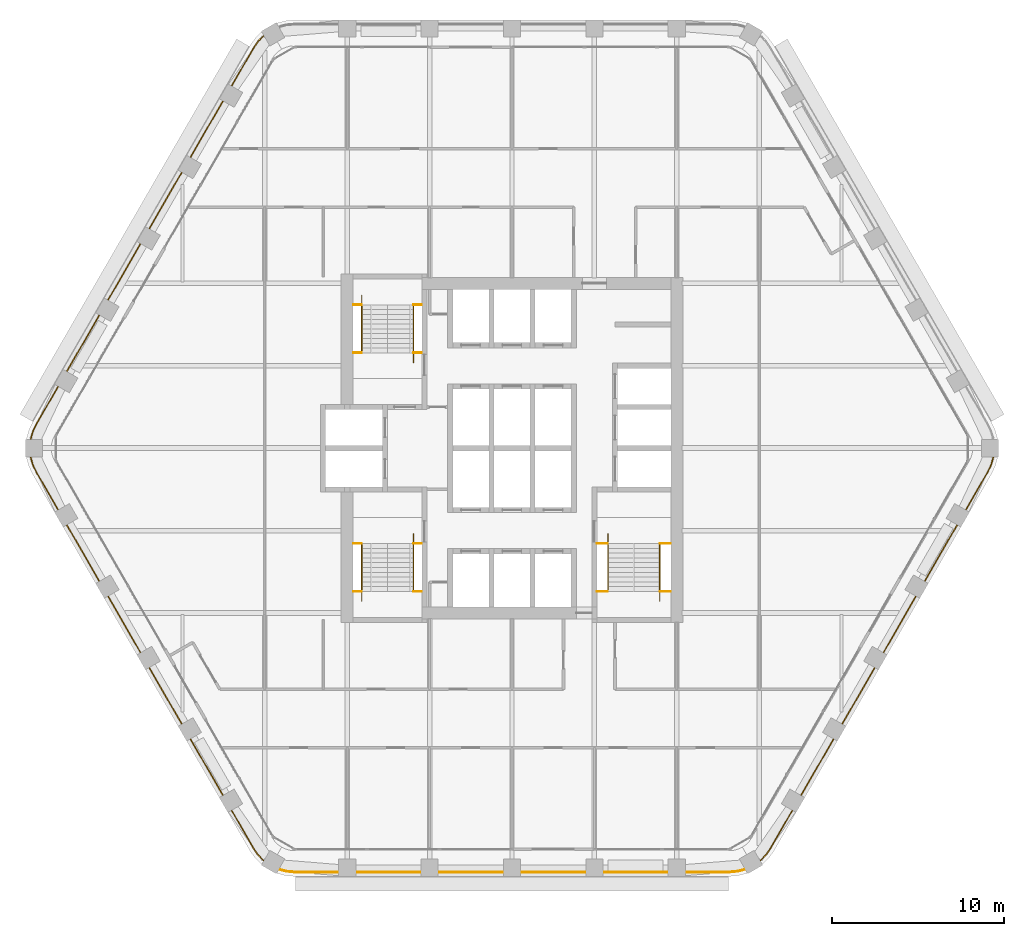
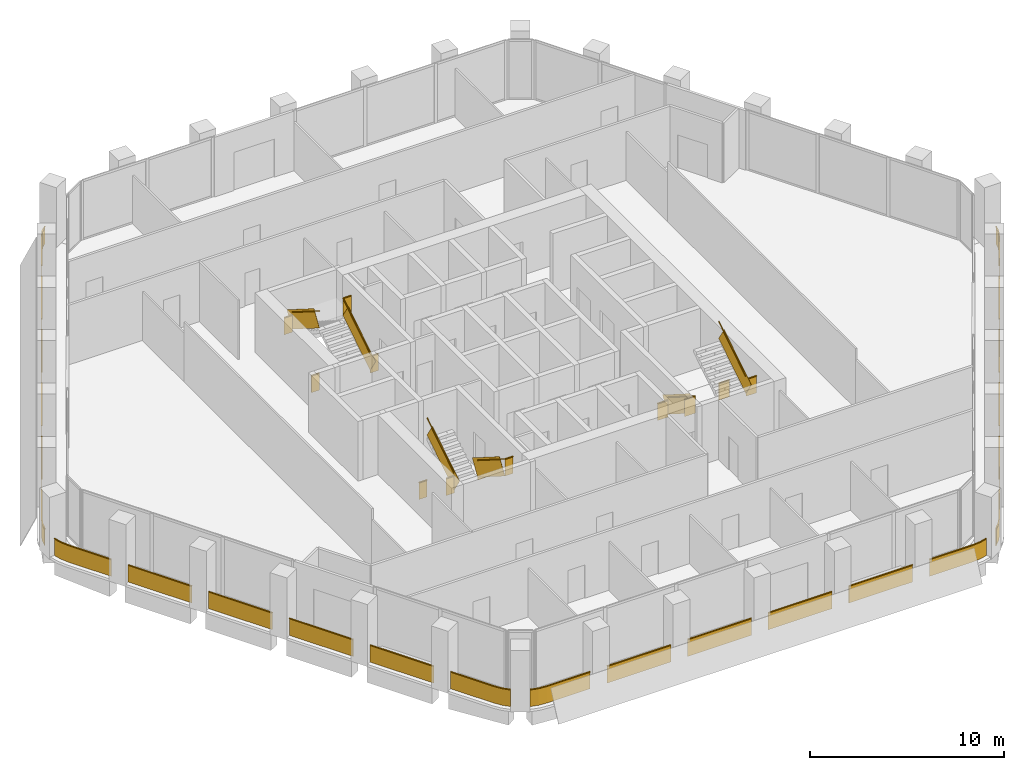
# One storey, part 14 of 15: 10 railings.
"""IFC4 building model written with IfcOpenShell, lengths in metres."""

from ifc_helpers import new_model, si_unit, direction, frame, frame_2d, origin, origin_2d, place, context, subcontext, project, spatial, rectangle, extrude, material, type_object, element, save


model = new_model("IFC4")

# Units and contexts
model_context = context("Model", 3, precision=1e-05, world=origin(), true_north=direction((0.0, 1.0)))
body_context = subcontext(model_context, "Body", "Model", "MODEL_VIEW")
ifc_project = project(units=[si_unit("LENGTHUNIT", "METRE"), si_unit("AREAUNIT", "SQUARE_METRE"), si_unit("VOLUMEUNIT", "CUBIC_METRE"), si_unit("PLANEANGLEUNIT", "RADIAN"), si_unit("MASSUNIT", "GRAM", prefix="KILO")], contexts=[model_context])

# Site, building, storey
site_placement = place(None, origin())
site = spatial("IfcSite", under=ifc_project, at=site_placement, CompositionType="ELEMENT")
building_placement = place(site_placement, origin())
building = spatial("IfcBuilding", under=site, at=building_placement, Name="Kolab Exchange Tower", CompositionType="ELEMENT")
storey_placement = place(building_placement, frame((0.0, 0.0, 142.699951171875)))
storey = spatial("IfcBuildingStorey", under=building, at=storey_placement, Name="L28", CompositionType="ELEMENT", Elevation=142.699951171875)

# Railings
ifc_material_1 = material(Name="Stainless steel 316", Category="steel")
railing_type_1 = type_object("IfcRailingType", Name="GUARD 1100", PredefinedType="GUARDRAIL", material=ifc_material_1)
railing_1_placement = place(storey_placement, frame((-9.25, 5.550048828125, 0.0)))
element("IfcRailing", 1, at=railing_1_placement, inside=storey, type_object=railing_type_1, Name="Guard ST1", PredefinedType="GUARDRAIL", context=body_context, shape_type="SweptSolid", body=[
    extrude(rectangle(XDim=0.05, YDim=0.05, at=origin_2d()), frame((0.0, 0.0, 1.0751953125), z_axis=(1.0, 0.0, 0.0), x_axis=(0.0, 1.0, 0.0)), (0.0, 0.0, 1.0), 0.489990234375),
    extrude(rectangle(XDim=0.012, YDim=1.05009765625, at=frame_2d((0.0, 0.525146484375))), frame((0.0, 0.0, 0.0), z_axis=(1.0, 0.0, 0.0), x_axis=(0.0, 1.0, 0.0)), (0.0, 0.0, 1.0), 0.489990234375),
    extrude(rectangle(XDim=0.05, YDim=0.05, at=origin_2d()), frame((3.510009765625, 0.0, 1.0751953125), z_axis=(1.0, 0.0, 0.0), x_axis=(0.0, 1.0, 0.0)), (0.0, 0.0, 1.0), 0.489990234375),
    extrude(rectangle(XDim=0.012, YDim=1.05009765625, at=frame_2d((0.0, 0.525146484375))), frame((3.510009765625, 0.0, 0.0), z_axis=(1.0, 0.0, 0.0), x_axis=(0.0, 1.0, 0.0)), (0.0, 0.0, 1.0), 0.489990234375),
    extrude(rectangle(XDim=0.05, YDim=0.05, at=origin_2d()), frame((0.0, 2.800048828125, 3.025146484375), z_axis=(1.0, 0.0, 0.0), x_axis=(0.0, 1.0, 0.0)), (0.0, 0.0, 1.0), 0.489990234375),
    extrude(rectangle(XDim=0.012, YDim=1.05009765625, at=frame_2d((0.0, 0.525146484375))), frame((0.0, 2.800048828125, 1.949951171875), z_axis=(1.0, 0.0, 0.0), x_axis=(0.0, 1.0, 0.0)), (0.0, 0.0, 1.0), 0.489990234375),
    extrude(rectangle(XDim=0.05, YDim=0.05, at=origin_2d()), frame((3.510009765625, 2.800048828125, 3.025146484375), z_axis=(1.0, 0.0, 0.0), x_axis=(0.0, 1.0, 0.0)), (0.0, 0.0, 1.0), 0.489990234375),
    extrude(rectangle(XDim=0.012, YDim=1.05009765625, at=frame_2d((0.0, 0.525146484375))), frame((3.510009765625, 2.800048828125, 1.949951171875), z_axis=(1.0, 0.0, 0.0), x_axis=(0.0, 1.0, 0.0)), (0.0, 0.0, 1.0), 0.489990234375),
])
railing_2_placement = place(storey_placement, frame((-5.739990234375, 5.550048828125, 0.17724609375)))
element("IfcRailing", 2, at=railing_2_placement, inside=storey, type_object=railing_type_1, Name="Handrail guard ST1", PredefinedType="GUARDRAIL", context=body_context, shape_type="SweptSolid", body=[
    extrude(rectangle(XDim=0.05, YDim=0.05, at=origin_2d()), frame((0.0, 0.0, 1.0751953125), z_axis=(0.0, 0.844908973607, 0.534910110503), x_axis=(-1.0, 0.0, 0.0)), (0.0, 0.0, 1.0), 3.31396484375),
    extrude(rectangle(XDim=0.012, YDim=1.05009765625, at=frame_2d((0.0, 0.525146484375))), frame((0.0, 0.0, 0.0), z_axis=(0.0, 0.844908973607, 0.534910110503), x_axis=(-1.0, 0.0, 0.0)), (0.0, 0.0, 1.0), 3.31396484375),
    extrude(rectangle(XDim=0.05, YDim=0.05, at=origin_2d()), frame((-3.02001953125, 2.800048828125, 3.025390625), z_axis=(0.0, -0.844908973607, 0.534910110503), x_axis=(1.0, 0.0, 0.0)), (0.0, 0.0, 1.0), 3.31396484375),
    extrude(rectangle(XDim=0.012, YDim=1.05009765625, at=frame_2d((0.0, 0.525146484375))), frame((-3.02001953125, 2.800048828125, 1.9501953125), z_axis=(0.0, -0.844908973607, 0.534910110503), x_axis=(1.0, 0.0, 0.0)), (0.0, 0.0, 1.0), 3.31396484375),
])
railing_3_placement = place(storey_placement, frame((-9.25, -5.550048828125, 0.0)))
element("IfcRailing", 3, at=railing_3_placement, inside=storey, type_object=railing_type_1, Name="Guard ST3", PredefinedType="GUARDRAIL", context=body_context, shape_type="SweptSolid", body=[
    extrude(rectangle(XDim=0.05, YDim=0.05, at=origin_2d()), frame((0.0, 0.0, 1.0751953125), z_axis=(1.0, 0.0, 0.0), x_axis=(0.0, 1.0, 0.0)), (0.0, 0.0, 1.0), 0.489990234375),
    extrude(rectangle(XDim=0.012, YDim=1.05009765625, at=frame_2d((0.0, 0.525146484375))), frame((0.0, 0.0, 0.0), z_axis=(1.0, 0.0, 0.0), x_axis=(0.0, 1.0, 0.0)), (0.0, 0.0, 1.0), 0.489990234375),
    extrude(rectangle(XDim=0.05, YDim=0.05, at=origin_2d()), frame((3.510009765625, 0.0, 1.0751953125), z_axis=(1.0, 0.0, 0.0), x_axis=(0.0, 1.0, 0.0)), (0.0, 0.0, 1.0), 0.489990234375),
    extrude(rectangle(XDim=0.012, YDim=1.05009765625, at=frame_2d((0.0, 0.525146484375))), frame((3.510009765625, 0.0, 0.0), z_axis=(1.0, 0.0, 0.0), x_axis=(0.0, 1.0, 0.0)), (0.0, 0.0, 1.0), 0.489990234375),
    extrude(rectangle(XDim=0.05, YDim=0.05, at=origin_2d()), frame((0.0, -2.800048828125, 3.025146484375), z_axis=(1.0, 0.0, 0.0), x_axis=(0.0, 1.0, 0.0)), (0.0, 0.0, 1.0), 0.489990234375),
    extrude(rectangle(XDim=0.012, YDim=1.05009765625, at=frame_2d((0.0, 0.525146484375))), frame((0.0, -2.800048828125, 1.949951171875), z_axis=(1.0, 0.0, 0.0), x_axis=(0.0, 1.0, 0.0)), (0.0, 0.0, 1.0), 0.489990234375),
    extrude(rectangle(XDim=0.05, YDim=0.05, at=origin_2d()), frame((3.510009765625, -2.800048828125, 3.025146484375), z_axis=(1.0, 0.0, 0.0), x_axis=(0.0, 1.0, 0.0)), (0.0, 0.0, 1.0), 0.489990234375),
    extrude(rectangle(XDim=0.012, YDim=1.05009765625, at=frame_2d((0.0, 0.525146484375))), frame((3.510009765625, -2.800048828125, 1.949951171875), z_axis=(1.0, 0.0, 0.0), x_axis=(0.0, 1.0, 0.0)), (0.0, 0.0, 1.0), 0.489990234375),
])
railing_4_placement = place(storey_placement, frame((-5.739990234375, -5.550048828125, 0.17724609375)))
element("IfcRailing", 4, at=railing_4_placement, inside=storey, type_object=railing_type_1, Name="Handrail guard ST3", PredefinedType="GUARDRAIL", context=body_context, shape_type="SweptSolid", body=[
    extrude(rectangle(XDim=0.05, YDim=0.05, at=origin_2d()), frame((0.0, 0.0, 1.0751953125), z_axis=(0.0, -0.844908973607, 0.534910110503), x_axis=(1.0, 0.0, 0.0)), (0.0, 0.0, 1.0), 3.31396484375),
    extrude(rectangle(XDim=0.012, YDim=1.05009765625, at=frame_2d((0.0, 0.525146484375))), frame((0.0, 0.0, 0.0), z_axis=(0.0, -0.844908973607, 0.534910110503), x_axis=(1.0, 0.0, 0.0)), (0.0, 0.0, 1.0), 3.31396484375),
    extrude(rectangle(XDim=0.05, YDim=0.05, at=origin_2d()), frame((-3.02001953125, -2.800048828125, 3.025390625), z_axis=(0.0, 0.844908973607, 0.534910110503), x_axis=(-1.0, 0.0, 0.0)), (0.0, 0.0, 1.0), 3.31396484375),
    extrude(rectangle(XDim=0.012, YDim=1.05009765625, at=frame_2d((0.0, 0.525146484375))), frame((-3.02001953125, -2.800048828125, 1.9501953125), z_axis=(0.0, 0.844908973607, 0.534910110503), x_axis=(-1.0, 0.0, 0.0)), (0.0, 0.0, 1.0), 3.31396484375),
])
railing_5_placement = place(storey_placement, frame((4.949951171875, -5.550048828125, 0.0)))
element("IfcRailing", 5, at=railing_5_placement, inside=storey, type_object=railing_type_1, Name="Guard ST2", PredefinedType="GUARDRAIL", context=body_context, shape_type="SweptSolid", body=[
    extrude(rectangle(XDim=0.05, YDim=0.05, at=origin_2d()), frame((0.0, 0.0, 1.0751953125), z_axis=(1.0, 0.0, 0.0), x_axis=(0.0, 1.0, 0.0)), (0.0, 0.0, 1.0), 0.64013671875),
    extrude(rectangle(XDim=0.012, YDim=1.05009765625, at=frame_2d((0.0, 0.525146484375))), frame((0.0, 0.0, 0.0), z_axis=(1.0, 0.0, 0.0), x_axis=(0.0, 1.0, 0.0)), (0.0, 0.0, 1.0), 0.64013671875),
    extrude(rectangle(XDim=0.05, YDim=0.05, at=origin_2d()), frame((3.66015625, 0.0, 1.0751953125), z_axis=(1.0, 0.0, 0.0), x_axis=(0.0, 1.0, 0.0)), (0.0, 0.0, 1.0), 0.639892578125),
    extrude(rectangle(XDim=0.012, YDim=1.05009765625, at=frame_2d((0.0, 0.525146484375))), frame((3.66015625, 0.0, 0.0), z_axis=(1.0, 0.0, 0.0), x_axis=(0.0, 1.0, 0.0)), (0.0, 0.0, 1.0), 0.639892578125),
    extrude(rectangle(XDim=0.05, YDim=0.05, at=origin_2d()), frame((0.0, -2.800048828125, 3.025146484375), z_axis=(1.0, 0.0, 0.0), x_axis=(0.0, 1.0, 0.0)), (0.0, 0.0, 1.0), 0.64013671875),
    extrude(rectangle(XDim=0.012, YDim=1.05009765625, at=frame_2d((0.0, 0.525146484375))), frame((0.0, -2.800048828125, 1.949951171875), z_axis=(1.0, 0.0, 0.0), x_axis=(0.0, 1.0, 0.0)), (0.0, 0.0, 1.0), 0.64013671875),
    extrude(rectangle(XDim=0.05, YDim=0.05, at=origin_2d()), frame((3.66015625, -2.800048828125, 3.025146484375), z_axis=(1.0, 0.0, 0.0), x_axis=(0.0, 1.0, 0.0)), (0.0, 0.0, 1.0), 0.639892578125),
    extrude(rectangle(XDim=0.012, YDim=1.05009765625, at=frame_2d((0.0, 0.525146484375))), frame((3.66015625, -2.800048828125, 1.949951171875), z_axis=(1.0, 0.0, 0.0), x_axis=(0.0, 1.0, 0.0)), (0.0, 0.0, 1.0), 0.639892578125),
])
railing_6_placement = place(storey_placement, frame((5.590087890625, -5.550048828125, 0.17724609375)))
element("IfcRailing", 6, at=railing_6_placement, inside=storey, type_object=railing_type_1, Name="Handrail guard ST2", PredefinedType="GUARDRAIL", context=body_context, shape_type="SweptSolid", body=[
    extrude(rectangle(XDim=0.05, YDim=0.05, at=origin_2d()), frame((0.0, 0.0, 1.0751953125), z_axis=(0.0, -0.844908973607, 0.534910110503), x_axis=(1.0, 0.0, 0.0)), (0.0, 0.0, 1.0), 3.31396484375),
    extrude(rectangle(XDim=0.012, YDim=1.05009765625, at=frame_2d((0.0, 0.525146484375))), frame((0.0, 0.0, 0.0), z_axis=(0.0, -0.844908973607, 0.534910110503), x_axis=(1.0, 0.0, 0.0)), (0.0, 0.0, 1.0), 3.31396484375),
    extrude(rectangle(XDim=0.05, YDim=0.05, at=origin_2d()), frame((3.02001953125, -2.800048828125, 3.025390625), z_axis=(0.0, 0.844908973607, 0.534910110503), x_axis=(-1.0, 0.0, 0.0)), (0.0, 0.0, 1.0), 3.31396484375),
    extrude(rectangle(XDim=0.012, YDim=1.05009765625, at=frame_2d((0.0, 0.525146484375))), frame((3.02001953125, -2.800048828125, 1.9501953125), z_axis=(0.0, 0.844908973607, 0.534910110503), x_axis=(-1.0, 0.0, 0.0)), (0.0, 0.0, 1.0), 3.31396484375),
])
ifc_material_2 = material(Name="Steel S235", Category="steel")
railing_type_2 = type_object("IfcRailingType", Name="GUARD 1100 GLASS BALUSTRADE AND STEEL TOP RAIL", PredefinedType="GUARDRAIL", material=ifc_material_2)
railing_7_placement = place(storey_placement, frame((14.4501953125, -24.033447265625, 0.0)))
element("IfcRailing", 7, at=railing_7_placement, inside=storey, type_object=railing_type_2, Name="Guard", PredefinedType="GUARDRAIL", context=body_context, shape_type="SweptSolid", body=[
    extrude(rectangle(XDim=0.05, YDim=0.05, at=origin_2d()), frame((0.0, 0.0, 1.0751953125), z_axis=(0.70737286085, 0.706840601361, 0.0), x_axis=(-0.706840601361, 0.70737286085, 0.0)), (0.0, 0.0, 1.0), 0.458740234375),
    extrude(rectangle(XDim=0.012, YDim=1.05009765625, at=frame_2d((0.0, 0.525146484375))), frame((0.0, 0.0, 0.0), z_axis=(0.70737286085, 0.706840601361, 0.0), x_axis=(-0.706840601361, 0.70737286085, 0.0)), (0.0, 0.0, 1.0), 0.458740234375),
    extrude(rectangle(XDim=0.05, YDim=0.05, at=origin_2d()), frame((0.324462890625, 0.32421875, 1.0751953125), z_axis=(0.573599091554, 0.819136180478, 0.0), x_axis=(-0.819136180478, 0.573599091554, 0.0)), (0.0, 0.0, 1.0), 0.479248046875),
    extrude(rectangle(XDim=0.012, YDim=1.05009765625, at=frame_2d((0.0, 0.525146484375))), frame((0.324462890625, 0.32421875, 0.0), z_axis=(0.573599091554, 0.819136180478, 0.0), x_axis=(-0.819136180478, 0.573599091554, 0.0)), (0.0, 0.0, 1.0), 0.479248046875),
    extrude(rectangle(XDim=0.05, YDim=0.05, at=origin_2d()), frame((0.599365234375, 0.716796875, 1.0751953125), z_axis=(0.499952873616, 0.866052610505, 0.0), x_axis=(-0.866052610505, 0.499952873616, 0.0)), (0.0, 0.0, 1.0), 2.568115234375),
    extrude(rectangle(XDim=0.012, YDim=1.05009765625, at=frame_2d((0.0, 0.525146484375))), frame((0.599365234375, 0.716796875, 0.0), z_axis=(0.499952873616, 0.866052610505, 0.0), x_axis=(-0.866052610505, 0.499952873616, 0.0)), (0.0, 0.0, 1.0), 2.568115234375),
    extrude(rectangle(XDim=0.05, YDim=0.05, at=origin_2d()), frame((2.38330078125, 3.806884765625, 1.0751953125), z_axis=(0.499994975061, 0.866028304915, 0.0), x_axis=(-0.866028304915, 0.499994975061, 0.0)), (0.0, 0.0, 1.0), 3.7998046875),
    extrude(rectangle(XDim=0.012, YDim=1.05009765625, at=frame_2d((0.0, 0.525146484375))), frame((2.38330078125, 3.806884765625, 0.0), z_axis=(0.499994975061, 0.866028304915, 0.0), x_axis=(-0.866028304915, 0.499994975061, 0.0)), (0.0, 0.0, 1.0), 3.7998046875),
    extrude(rectangle(XDim=0.05, YDim=0.05, at=origin_2d()), frame((4.783203125, 7.9638671875, 1.0751953125), z_axis=(0.500043160704, 0.866000483506, 0.0), x_axis=(-0.866000483506, 0.500043160704, 0.0)), (0.0, 0.0, 1.0), 3.800048828125),
    extrude(rectangle(XDim=0.012, YDim=1.05009765625, at=frame_2d((0.0, 0.525146484375))), frame((4.783203125, 7.9638671875, 0.0), z_axis=(0.500043160704, 0.866000483506, 0.0), x_axis=(-0.866000483506, 0.500043160704, 0.0)), (0.0, 0.0, 1.0), 3.800048828125),
    extrude(rectangle(XDim=0.05, YDim=0.05, at=origin_2d()), frame((7.183349609375, 12.12060546875, 1.0751953125), z_axis=(0.499967155389, 0.866044365799, 0.0), x_axis=(-0.866044365799, 0.499967155389, 0.0)), (0.0, 0.0, 1.0), 3.800048828125),
    extrude(rectangle(XDim=0.012, YDim=1.05009765625, at=frame_2d((0.0, 0.525146484375))), frame((7.183349609375, 12.12060546875, 0.0), z_axis=(0.499967155389, 0.866044365799, 0.0), x_axis=(-0.866044365799, 0.499967155389, 0.0)), (0.0, 0.0, 1.0), 3.800048828125),
    extrude(rectangle(XDim=0.05, YDim=0.05, at=origin_2d()), frame((9.583251953125, 16.277587890625, 1.0751953125), z_axis=(0.500015340139, 0.86601654697, 0.0), x_axis=(-0.86601654697, 0.500015340139, 0.0)), (0.0, 0.0, 1.0), 3.80029296875),
    extrude(rectangle(XDim=0.012, YDim=1.05009765625, at=frame_2d((0.0, 0.525146484375))), frame((9.583251953125, 16.277587890625, 0.0), z_axis=(0.500015340139, 0.86601654697, 0.0), x_axis=(-0.86601654697, 0.500015340139, 0.0)), (0.0, 0.0, 1.0), 3.80029296875),
    extrude(rectangle(XDim=0.05, YDim=0.05, at=origin_2d()), frame((11.9833984375, 20.4345703125, 1.0751953125), z_axis=(0.499994038704, 0.866028845513, 0.0), x_axis=(-0.866028845513, 0.499994038704, 0.0)), (0.0, 0.0, 1.0), 2.56787109375),
    extrude(rectangle(XDim=0.012, YDim=1.05009765625, at=frame_2d((0.0, 0.525146484375))), frame((11.9833984375, 20.4345703125, 0.0), z_axis=(0.499994038704, 0.866028845513, 0.0), x_axis=(-0.866028845513, 0.499994038704, 0.0)), (0.0, 0.0, 1.0), 2.56787109375),
    extrude(rectangle(XDim=0.05, YDim=0.05, at=origin_2d()), frame((13.267333984375, 22.658447265625, 1.0751953125), z_axis=(0.422801802984, 0.906222177721, 0.0), x_axis=(-0.906222177721, 0.422801802984, 0.0)), (0.0, 0.0, 1.0), 0.479248046875),
    extrude(rectangle(XDim=0.012, YDim=1.05009765625, at=frame_2d((0.0, 0.525146484375))), frame((13.267333984375, 22.658447265625, 0.0), z_axis=(0.422801802984, 0.906222177721, 0.0), x_axis=(-0.906222177721, 0.422801802984, 0.0)), (0.0, 0.0, 1.0), 0.479248046875),
    extrude(rectangle(XDim=0.05, YDim=0.05, at=origin_2d()), frame((13.469970703125, 23.0927734375, 1.0751953125), z_axis=(0.25865627591, 0.965969425465, 0.0), x_axis=(-0.965969425465, 0.25865627591, 0.0)), (0.0, 0.0, 1.0), 0.458740234375),
    extrude(rectangle(XDim=0.012, YDim=1.05009765625, at=frame_2d((0.0, 0.525146484375))), frame((13.469970703125, 23.0927734375, 0.0), z_axis=(0.25865627591, 0.965969425465, 0.0), x_axis=(-0.965969425465, 0.25865627591, 0.0)), (0.0, 0.0, 1.0), 0.458740234375),
])
railing_8_placement = place(storey_placement, frame((-13.588623046875, -24.531005859375, 0.0)))
element("IfcRailing", 8, at=railing_8_placement, inside=storey, type_object=railing_type_2, Name="Guard", PredefinedType="GUARDRAIL", context=body_context, shape_type="SweptSolid", body=[
    extrude(rectangle(XDim=0.05, YDim=0.05, at=origin_2d()), frame((0.0, 0.0, 1.0751953125), z_axis=(0.965969425465, -0.25865627591, 0.0), x_axis=(0.25865627591, 0.965969425465, 0.0)), (0.0, 0.0, 1.0), 0.458740234375),
    extrude(rectangle(XDim=0.012, YDim=1.05009765625, at=frame_2d((0.0, 0.525146484375))), frame((0.0, 0.0, 0.0), z_axis=(0.965969425465, -0.25865627591, 0.0), x_axis=(0.25865627591, 0.965969425465, 0.0)), (0.0, 0.0, 1.0), 0.458740234375),
    extrude(rectangle(XDim=0.05, YDim=0.05, at=origin_2d()), frame((0.443115234375, -0.11865234375, 1.0751953125), z_axis=(0.996156034798, -0.087596542937, 0.0), x_axis=(0.087596542937, 0.996156034798, 0.0)), (0.0, 0.0, 1.0), 0.4794921875),
    extrude(rectangle(XDim=0.012, YDim=1.05009765625, at=frame_2d((0.0, 0.525146484375))), frame((0.443115234375, -0.11865234375, 0.0), z_axis=(0.996156034798, -0.087596542937, 0.0), x_axis=(0.087596542937, 0.996156034798, 0.0)), (0.0, 0.0, 1.0), 0.4794921875),
    extrude(rectangle(XDim=0.05, YDim=0.05, at=origin_2d()), frame((0.920654296875, -0.16064453125, 1.0751953125), z_axis=(1.0, 0.0, 0.0), x_axis=(0.0, 1.0, 0.0)), (0.0, 0.0, 1.0), 2.56787109375),
    extrude(rectangle(XDim=0.012, YDim=1.05009765625, at=frame_2d((0.0, 0.525146484375))), frame((0.920654296875, -0.16064453125, 0.0), z_axis=(1.0, 0.0, 0.0), x_axis=(0.0, 1.0, 0.0)), (0.0, 0.0, 1.0), 2.56787109375),
    extrude(rectangle(XDim=0.05, YDim=0.05, at=origin_2d()), frame((4.488525390625, -0.16064453125, 1.0751953125), z_axis=(1.0, 0.0, 0.0), x_axis=(0.0, 1.0, 0.0)), (0.0, 0.0, 1.0), 3.800048828125),
    extrude(rectangle(XDim=0.012, YDim=1.05009765625, at=frame_2d((0.0, 0.525146484375))), frame((4.488525390625, -0.16064453125, 0.0), z_axis=(1.0, 0.0, 0.0), x_axis=(0.0, 1.0, 0.0)), (0.0, 0.0, 1.0), 3.800048828125),
    extrude(rectangle(XDim=0.05, YDim=0.05, at=origin_2d()), frame((9.28857421875, -0.16064453125, 1.0751953125), z_axis=(1.0, 0.0, 0.0), x_axis=(0.0, 1.0, 0.0)), (0.0, 0.0, 1.0), 3.800048828125),
    extrude(rectangle(XDim=0.012, YDim=1.05009765625, at=frame_2d((0.0, 0.525146484375))), frame((9.28857421875, -0.16064453125, 0.0), z_axis=(1.0, 0.0, 0.0), x_axis=(0.0, 1.0, 0.0)), (0.0, 0.0, 1.0), 3.800048828125),
    extrude(rectangle(XDim=0.05, YDim=0.05, at=origin_2d()), frame((14.088623046875, -0.16064453125, 1.0751953125), z_axis=(1.0, 0.0, 0.0), x_axis=(0.0, 1.0, 0.0)), (0.0, 0.0, 1.0), 3.800048828125),
    extrude(rectangle(XDim=0.012, YDim=1.05009765625, at=frame_2d((0.0, 0.525146484375))), frame((14.088623046875, -0.16064453125, 0.0), z_axis=(1.0, 0.0, 0.0), x_axis=(0.0, 1.0, 0.0)), (0.0, 0.0, 1.0), 3.800048828125),
    extrude(rectangle(XDim=0.05, YDim=0.05, at=origin_2d()), frame((18.888671875, -0.16064453125, 1.0751953125), z_axis=(1.0, 0.0, 0.0), x_axis=(0.0, 1.0, 0.0)), (0.0, 0.0, 1.0), 3.800048828125),
    extrude(rectangle(XDim=0.012, YDim=1.05009765625, at=frame_2d((0.0, 0.525146484375))), frame((18.888671875, -0.16064453125, 0.0), z_axis=(1.0, 0.0, 0.0), x_axis=(0.0, 1.0, 0.0)), (0.0, 0.0, 1.0), 3.800048828125),
    extrude(rectangle(XDim=0.05, YDim=0.05, at=origin_2d()), frame((23.688720703125, -0.16064453125, 1.0751953125), z_axis=(1.0, 0.0, 0.0), x_axis=(0.0, 1.0, 0.0)), (0.0, 0.0, 1.0), 2.56787109375),
    extrude(rectangle(XDim=0.012, YDim=1.05009765625, at=frame_2d((0.0, 0.525146484375))), frame((23.688720703125, -0.16064453125, 0.0), z_axis=(1.0, 0.0, 0.0), x_axis=(0.0, 1.0, 0.0)), (0.0, 0.0, 1.0), 2.56787109375),
    extrude(rectangle(XDim=0.05, YDim=0.05, at=origin_2d()), frame((26.256591796875, -0.16064453125, 1.0751953125), z_axis=(0.996156034798, 0.087596542937, 0.0), x_axis=(-0.087596542937, 0.996156034798, 0.0)), (0.0, 0.0, 1.0), 0.4794921875),
    extrude(rectangle(XDim=0.012, YDim=1.05009765625, at=frame_2d((0.0, 0.525146484375))), frame((26.256591796875, -0.16064453125, 0.0), z_axis=(0.996156034798, 0.087596542937, 0.0), x_axis=(-0.087596542937, 0.996156034798, 0.0)), (0.0, 0.0, 1.0), 0.4794921875),
    extrude(rectangle(XDim=0.05, YDim=0.05, at=origin_2d()), frame((26.734130859375, -0.11865234375, 1.0751953125), z_axis=(0.965969425465, 0.25865627591, 0.0), x_axis=(-0.25865627591, 0.965969425465, 0.0)), (0.0, 0.0, 1.0), 0.458740234375),
    extrude(rectangle(XDim=0.012, YDim=1.05009765625, at=frame_2d((0.0, 0.525146484375))), frame((26.734130859375, -0.11865234375, 0.0), z_axis=(0.965969425465, 0.25865627591, 0.0), x_axis=(-0.25865627591, 0.965969425465, 0.0)), (0.0, 0.0, 1.0), 0.458740234375),
])
railing_9_placement = place(storey_placement, frame((-28.038818359375, -0.49755859375, 0.0)))
element("IfcRailing", 9, at=railing_9_placement, inside=storey, type_object=railing_type_2, Name="Guard", PredefinedType="GUARDRAIL", context=body_context, shape_type="SweptSolid", body=[
    extrude(rectangle(XDim=0.05, YDim=0.05, at=origin_2d()), frame((0.0, 0.0, 1.0751953125), z_axis=(0.25865627591, -0.965969425465, 0.0), x_axis=(0.965969425465, 0.25865627591, 0.0)), (0.0, 0.0, 1.0), 0.458740234375),
    extrude(rectangle(XDim=0.012, YDim=1.05009765625, at=frame_2d((0.0, 0.525146484375))), frame((0.0, 0.0, 0.0), z_axis=(0.25865627591, -0.965969425465, 0.0), x_axis=(0.965969425465, 0.25865627591, 0.0)), (0.0, 0.0, 1.0), 0.458740234375),
    extrude(rectangle(XDim=0.05, YDim=0.05, at=origin_2d()), frame((0.11865234375, -0.443115234375, 1.0751953125), z_axis=(0.422801802984, -0.906222177721, 0.0), x_axis=(0.906222177721, 0.422801802984, 0.0)), (0.0, 0.0, 1.0), 0.479248046875),
    extrude(rectangle(XDim=0.012, YDim=1.05009765625, at=frame_2d((0.0, 0.525146484375))), frame((0.11865234375, -0.443115234375, 0.0), z_axis=(0.422801802984, -0.906222177721, 0.0), x_axis=(0.906222177721, 0.422801802984, 0.0)), (0.0, 0.0, 1.0), 0.479248046875),
    extrude(rectangle(XDim=0.05, YDim=0.05, at=origin_2d()), frame((0.3212890625, -0.87744140625, 1.0751953125), z_axis=(0.499994038704, -0.866028845513, 0.0), x_axis=(0.866028845513, 0.499994038704, 0.0)), (0.0, 0.0, 1.0), 2.56787109375),
    extrude(rectangle(XDim=0.012, YDim=1.05009765625, at=frame_2d((0.0, 0.525146484375))), frame((0.3212890625, -0.87744140625, 0.0), z_axis=(0.499994038704, -0.866028845513, 0.0), x_axis=(0.866028845513, 0.499994038704, 0.0)), (0.0, 0.0, 1.0), 2.56787109375),
    extrude(rectangle(XDim=0.05, YDim=0.05, at=origin_2d()), frame((2.105224609375, -3.96728515625, 1.0751953125), z_axis=(0.500015340139, -0.86601654697, 0.0), x_axis=(0.86601654697, 0.500015340139, 0.0)), (0.0, 0.0, 1.0), 3.80029296875),
    extrude(rectangle(XDim=0.012, YDim=1.05009765625, at=frame_2d((0.0, 0.525146484375))), frame((2.105224609375, -3.96728515625, 0.0), z_axis=(0.500015340139, -0.86601654697, 0.0), x_axis=(0.86601654697, 0.500015340139, 0.0)), (0.0, 0.0, 1.0), 3.80029296875),
    extrude(rectangle(XDim=0.05, YDim=0.05, at=origin_2d()), frame((4.50537109375, -8.124267578125, 1.0751953125), z_axis=(0.499967155389, -0.866044365799, 0.0), x_axis=(0.866044365799, 0.499967155389, 0.0)), (0.0, 0.0, 1.0), 3.800048828125),
    extrude(rectangle(XDim=0.012, YDim=1.05009765625, at=frame_2d((0.0, 0.525146484375))), frame((4.50537109375, -8.124267578125, 0.0), z_axis=(0.499967155389, -0.866044365799, 0.0), x_axis=(0.866044365799, 0.499967155389, 0.0)), (0.0, 0.0, 1.0), 3.800048828125),
    extrude(rectangle(XDim=0.05, YDim=0.05, at=origin_2d()), frame((6.9052734375, -12.28125, 1.0751953125), z_axis=(0.500043160704, -0.866000483506, 0.0), x_axis=(0.866000483506, 0.500043160704, 0.0)), (0.0, 0.0, 1.0), 3.800048828125),
    extrude(rectangle(XDim=0.012, YDim=1.05009765625, at=frame_2d((0.0, 0.525146484375))), frame((6.9052734375, -12.28125, 0.0), z_axis=(0.500043160704, -0.866000483506, 0.0), x_axis=(0.866000483506, 0.500043160704, 0.0)), (0.0, 0.0, 1.0), 3.800048828125),
    extrude(rectangle(XDim=0.05, YDim=0.05, at=origin_2d()), frame((9.305419921875, -16.438232421875, 1.0751953125), z_axis=(0.499994975061, -0.866028304915, 0.0), x_axis=(0.866028304915, 0.499994975061, 0.0)), (0.0, 0.0, 1.0), 3.7998046875),
    extrude(rectangle(XDim=0.012, YDim=1.05009765625, at=frame_2d((0.0, 0.525146484375))), frame((9.305419921875, -16.438232421875, 0.0), z_axis=(0.499994975061, -0.866028304915, 0.0), x_axis=(0.866028304915, 0.499994975061, 0.0)), (0.0, 0.0, 1.0), 3.7998046875),
    extrude(rectangle(XDim=0.05, YDim=0.05, at=origin_2d()), frame((11.705322265625, -20.594970703125, 1.0751953125), z_axis=(0.499952873616, -0.866052610505, 0.0), x_axis=(0.866052610505, 0.499952873616, 0.0)), (0.0, 0.0, 1.0), 2.568115234375),
    extrude(rectangle(XDim=0.012, YDim=1.05009765625, at=frame_2d((0.0, 0.525146484375))), frame((11.705322265625, -20.594970703125, 0.0), z_axis=(0.499952873616, -0.866052610505, 0.0), x_axis=(0.866052610505, 0.499952873616, 0.0)), (0.0, 0.0, 1.0), 2.568115234375),
    extrude(rectangle(XDim=0.05, YDim=0.05, at=origin_2d()), frame((12.9892578125, -22.819091796875, 1.0751953125), z_axis=(0.573599091554, -0.819136180478, 0.0), x_axis=(0.819136180478, 0.573599091554, 0.0)), (0.0, 0.0, 1.0), 0.479248046875),
    extrude(rectangle(XDim=0.012, YDim=1.05009765625, at=frame_2d((0.0, 0.525146484375))), frame((12.9892578125, -22.819091796875, 0.0), z_axis=(0.573599091554, -0.819136180478, 0.0), x_axis=(0.819136180478, 0.573599091554, 0.0)), (0.0, 0.0, 1.0), 0.479248046875),
    extrude(rectangle(XDim=0.05, YDim=0.05, at=origin_2d()), frame((13.26416015625, -23.211669921875, 1.0751953125), z_axis=(0.70737286085, -0.706840601361, 0.0), x_axis=(0.706840601361, 0.70737286085, 0.0)), (0.0, 0.0, 1.0), 0.458740234375),
    extrude(rectangle(XDim=0.012, YDim=1.05009765625, at=frame_2d((0.0, 0.525146484375))), frame((13.26416015625, -23.211669921875, 0.0), z_axis=(0.70737286085, -0.706840601361, 0.0), x_axis=(0.706840601361, 0.70737286085, 0.0)), (0.0, 0.0, 1.0), 0.458740234375),
])
railing_10_placement = place(storey_placement, frame((-14.4501953125, 24.033447265625, 0.0)))
element("IfcRailing", 10, at=railing_10_placement, inside=storey, type_object=railing_type_2, Name="Guard", PredefinedType="GUARDRAIL", context=body_context, shape_type="SweptSolid", body=[
    extrude(rectangle(XDim=0.05, YDim=0.05, at=origin_2d()), frame((0.0, 0.0, 1.0751953125), z_axis=(-0.70737286085, -0.706840601361, 0.0), x_axis=(0.706840601361, -0.70737286085, 0.0)), (0.0, 0.0, 1.0), 0.458740234375),
    extrude(rectangle(XDim=0.012, YDim=1.05009765625, at=frame_2d((0.0, 0.525146484375))), frame((0.0, 0.0, 0.0), z_axis=(-0.70737286085, -0.706840601361, 0.0), x_axis=(0.706840601361, -0.70737286085, 0.0)), (0.0, 0.0, 1.0), 0.458740234375),
    extrude(rectangle(XDim=0.05, YDim=0.05, at=origin_2d()), frame((-0.324462890625, -0.32421875, 1.0751953125), z_axis=(-0.573599091554, -0.819136180478, 0.0), x_axis=(0.819136180478, -0.573599091554, 0.0)), (0.0, 0.0, 1.0), 0.479248046875),
    extrude(rectangle(XDim=0.012, YDim=1.05009765625, at=frame_2d((0.0, 0.525146484375))), frame((-0.324462890625, -0.32421875, 0.0), z_axis=(-0.573599091554, -0.819136180478, 0.0), x_axis=(0.819136180478, -0.573599091554, 0.0)), (0.0, 0.0, 1.0), 0.479248046875),
    extrude(rectangle(XDim=0.05, YDim=0.05, at=origin_2d()), frame((-0.599365234375, -0.716796875, 1.0751953125), z_axis=(-0.499952873616, -0.866052610505, 0.0), x_axis=(0.866052610505, -0.499952873616, 0.0)), (0.0, 0.0, 1.0), 2.568115234375),
    extrude(rectangle(XDim=0.012, YDim=1.05009765625, at=frame_2d((0.0, 0.525146484375))), frame((-0.599365234375, -0.716796875, 0.0), z_axis=(-0.499952873616, -0.866052610505, 0.0), x_axis=(0.866052610505, -0.499952873616, 0.0)), (0.0, 0.0, 1.0), 2.568115234375),
    extrude(rectangle(XDim=0.05, YDim=0.05, at=origin_2d()), frame((-2.38330078125, -3.806884765625, 1.0751953125), z_axis=(-0.499994975061, -0.866028304915, 0.0), x_axis=(0.866028304915, -0.499994975061, 0.0)), (0.0, 0.0, 1.0), 3.7998046875),
    extrude(rectangle(XDim=0.012, YDim=1.05009765625, at=frame_2d((0.0, 0.525146484375))), frame((-2.38330078125, -3.806884765625, 0.0), z_axis=(-0.499994975061, -0.866028304915, 0.0), x_axis=(0.866028304915, -0.499994975061, 0.0)), (0.0, 0.0, 1.0), 3.7998046875),
    extrude(rectangle(XDim=0.05, YDim=0.05, at=origin_2d()), frame((-4.783203125, -7.9638671875, 1.0751953125), z_axis=(-0.500043160704, -0.866000483506, 0.0), x_axis=(0.866000483506, -0.500043160704, 0.0)), (0.0, 0.0, 1.0), 3.800048828125),
    extrude(rectangle(XDim=0.012, YDim=1.05009765625, at=frame_2d((0.0, 0.525146484375))), frame((-4.783203125, -7.9638671875, 0.0), z_axis=(-0.500043160704, -0.866000483506, 0.0), x_axis=(0.866000483506, -0.500043160704, 0.0)), (0.0, 0.0, 1.0), 3.800048828125),
    extrude(rectangle(XDim=0.05, YDim=0.05, at=origin_2d()), frame((-7.183349609375, -12.12060546875, 1.0751953125), z_axis=(-0.499967155389, -0.866044365799, 0.0), x_axis=(0.866044365799, -0.499967155389, 0.0)), (0.0, 0.0, 1.0), 3.800048828125),
    extrude(rectangle(XDim=0.012, YDim=1.05009765625, at=frame_2d((0.0, 0.525146484375))), frame((-7.183349609375, -12.12060546875, 0.0), z_axis=(-0.499967155389, -0.866044365799, 0.0), x_axis=(0.866044365799, -0.499967155389, 0.0)), (0.0, 0.0, 1.0), 3.800048828125),
    extrude(rectangle(XDim=0.05, YDim=0.05, at=origin_2d()), frame((-9.583251953125, -16.277587890625, 1.0751953125), z_axis=(-0.500015340139, -0.86601654697, 0.0), x_axis=(0.86601654697, -0.500015340139, 0.0)), (0.0, 0.0, 1.0), 3.80029296875),
    extrude(rectangle(XDim=0.012, YDim=1.05009765625, at=frame_2d((0.0, 0.525146484375))), frame((-9.583251953125, -16.277587890625, 0.0), z_axis=(-0.500015340139, -0.86601654697, 0.0), x_axis=(0.86601654697, -0.500015340139, 0.0)), (0.0, 0.0, 1.0), 3.80029296875),
    extrude(rectangle(XDim=0.05, YDim=0.05, at=origin_2d()), frame((-11.9833984375, -20.4345703125, 1.0751953125), z_axis=(-0.499994038704, -0.866028845513, 0.0), x_axis=(0.866028845513, -0.499994038704, 0.0)), (0.0, 0.0, 1.0), 2.56787109375),
    extrude(rectangle(XDim=0.012, YDim=1.05009765625, at=frame_2d((0.0, 0.525146484375))), frame((-11.9833984375, -20.4345703125, 0.0), z_axis=(-0.499994038704, -0.866028845513, 0.0), x_axis=(0.866028845513, -0.499994038704, 0.0)), (0.0, 0.0, 1.0), 2.56787109375),
    extrude(rectangle(XDim=0.05, YDim=0.05, at=origin_2d()), frame((-13.267333984375, -22.658447265625, 1.0751953125), z_axis=(-0.422801802984, -0.906222177721, 0.0), x_axis=(0.906222177721, -0.422801802984, 0.0)), (0.0, 0.0, 1.0), 0.479248046875),
    extrude(rectangle(XDim=0.012, YDim=1.05009765625, at=frame_2d((0.0, 0.525146484375))), frame((-13.267333984375, -22.658447265625, 0.0), z_axis=(-0.422801802984, -0.906222177721, 0.0), x_axis=(0.906222177721, -0.422801802984, 0.0)), (0.0, 0.0, 1.0), 0.479248046875),
    extrude(rectangle(XDim=0.05, YDim=0.05, at=origin_2d()), frame((-13.469970703125, -23.0927734375, 1.0751953125), z_axis=(-0.25865627591, -0.965969425465, 0.0), x_axis=(0.965969425465, -0.25865627591, 0.0)), (0.0, 0.0, 1.0), 0.458740234375),
    extrude(rectangle(XDim=0.012, YDim=1.05009765625, at=frame_2d((0.0, 0.525146484375))), frame((-13.469970703125, -23.0927734375, 0.0), z_axis=(-0.25865627591, -0.965969425465, 0.0), x_axis=(0.965969425465, -0.25865627591, 0.0)), (0.0, 0.0, 1.0), 0.458740234375),
])

save(model, "model.ifc")
